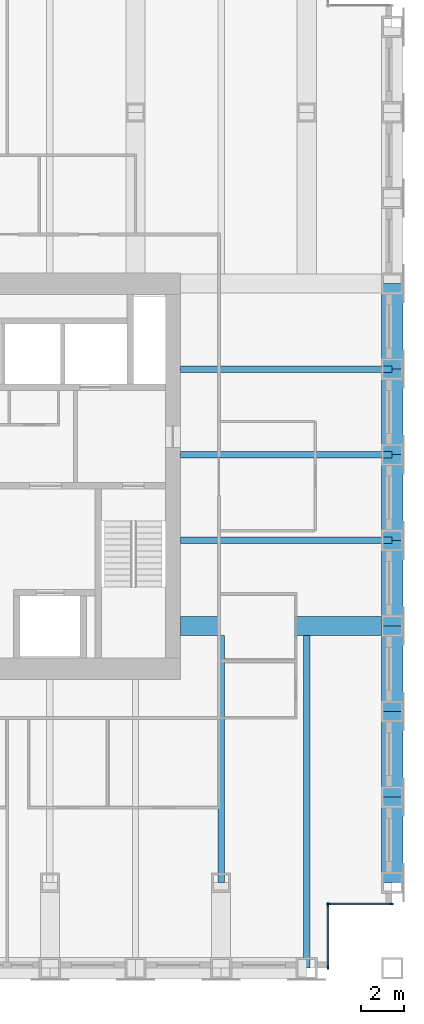
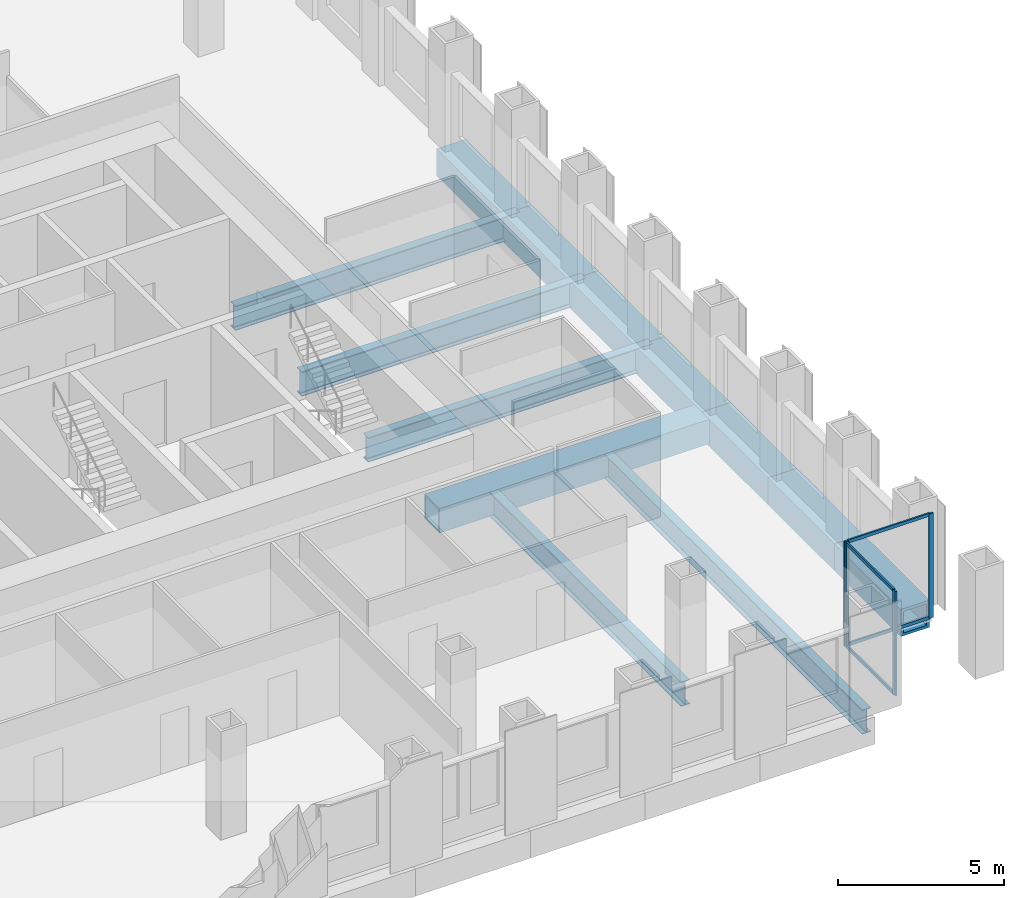
# One storey, part 4 of 12: 13 beams, 8 members, 2 elements without a shape of their own.
"""IFC4 building model written with IfcOpenShell, lengths in metres."""

from ifc_helpers import new_model, si_unit, direction, frame, origin, origin_2d, place, context, subcontext, project, spatial, rectangle, hollow_rectangle, i_section, extrude, material, material_profile, profile_set, type_object, element, aggregate, save


model = new_model("IFC4")

# Units and contexts
model_context = context("Model", 3, precision=1e-05, world=origin(), true_north=direction((0.0, 1.0)))
body_context = subcontext(model_context, "Body", "Model", "MODEL_VIEW")
ifc_project = project(units=[si_unit("LENGTHUNIT", "METRE"), si_unit("AREAUNIT", "SQUARE_METRE"), si_unit("VOLUMEUNIT", "CUBIC_METRE"), si_unit("PLANEANGLEUNIT", "RADIAN"), si_unit("MASSUNIT", "GRAM", prefix="KILO")], contexts=[model_context])

# Site, building, storey
site_placement = place(None, origin())
site = spatial("IfcSite", under=ifc_project, at=site_placement, CompositionType="ELEMENT")
building_placement = place(site_placement, origin())
building = spatial("IfcBuilding", under=site, at=building_placement, Name="Rimbunsela Tower", CompositionType="ELEMENT")
storey_placement = place(building_placement, frame((0.0, 0.0, 147.800048828125)))
storey = spatial("IfcBuildingStorey", under=building, at=storey_placement, Name="L35", CompositionType="ELEMENT", Elevation=147.800048828125)

# Beams
ifc_material_1 = material(Name="Steel BJ 55 (fy 410 MPa)", Category="steel")
ifc_material_profile_1 = material_profile(ifc_material_1, hollow_rectangle(XDim=1.0, YDim=1.0, WallThickness=0.10009765625, at=origin_2d()), Name="BOX 1000x1000x100")
ifc_profile_set_1 = profile_set([ifc_material_profile_1], Name="Steel BJ 55 (fy 410 MPa)")
beam_type_1 = type_object("IfcBeamType", Name="Beam BOX 1000x1000x100", PredefinedType="BEAM", material=ifc_profile_set_1)
for number, where, z_axis, x_axis, name in (
    (1, (46.0, 8.0, -0.650146484375), (0.0, 1.0, 0.0), (-1.0, 0.0, 0.0), "Beam B3 L35"),
    (2, (46.0, 12.0, -0.650146484375), (0.0, 1.0, 0.0), (-1.0, 0.0, 0.0), "Beam B3 L35"),
    (3, (46.0, 16.0, -0.650146484375), (0.0, 1.0, 0.0), (-1.0, 0.0, 0.0), "Beam B3 L35"),
    (4, (46.0, 20.0, -0.650146484375), (0.0, 1.0, 0.0), (-1.0, 0.0, 0.0), "Beam B3 L35"),
    (5, (46.0, 24.0, -0.650146484375), (0.0, 1.0, 0.0), (-1.0, 0.0, 0.0), "Beam B3 L35"),
    (6, (46.0, 28.0, -0.650146484375), (0.0, 1.0, 0.0), (-1.0, 0.0, 0.0), "Beam B3 L35"),
    (7, (46.0, 32.0, -0.650146484375), (0.0, 1.0, 0.0), (-1.0, 0.0, 0.0), "Beam B3 L35"),
):
    element("IfcBeam", number, at=place(storey_placement, frame(where, z_axis=z_axis, x_axis=x_axis)), inside=storey, type_object=beam_type_1, Name=name, PredefinedType="BEAM", context=body_context, shape_type="SweptSolid", body=[
        extrude(hollow_rectangle(XDim=1.0, YDim=1.0, WallThickness=0.10009765625, at=origin_2d()), origin(), (0.0, 0.0, 1.0), 4.0),
    ])
ifc_material_2 = material(Name="Steel BJ 55 (fy 410 MPa)", Category="steel")
ifc_material_profile_2 = material_profile(ifc_material_2, hollow_rectangle(XDim=0.89990234375, YDim=0.89990234375, WallThickness=0.06005859375, at=origin_2d()), Name="BOX 900x900x60")
ifc_profile_set_2 = profile_set([ifc_material_profile_2], Name="Steel BJ 55 (fy 410 MPa)")
beam_type_2 = type_object("IfcBeamType", Name="Beam BOX 900x900x60", PredefinedType="BEAM", material=ifc_profile_set_2)
beam_1_placement = place(storey_placement, frame((36.10009765625, 20.0, -0.60009765625), z_axis=(1.0, 0.0, 0.0), x_axis=(0.0, 1.0, 0.0)))
element("IfcBeam", 8, at=beam_1_placement, inside=storey, type_object=beam_type_2, Name="Beam B1 L35", PredefinedType="BEAM", context=body_context, shape_type="SweptSolid", body=[
    extrude(hollow_rectangle(XDim=0.89990234375, YDim=0.89990234375, WallThickness=0.06005859375, at=origin_2d()), origin(), (0.0, 0.0, 1.0), 9.89990234375),
])
ifc_material_3 = material(Name="Steel BJ 55 (fy 410 MPa)", Category="steel")
ifc_material_profile_3 = material_profile(ifc_material_3, i_section(OverallWidth=0.300048828125, OverallDepth=0.89990234375, WebThickness=0.01611328125, FlangeThickness=0.028076171875, FilletRadius=0.028076171875, at=origin_2d()), Name="H 900x300x16x28")
ifc_profile_set_3 = profile_set([ifc_material_profile_3], Name="Steel BJ 55 (fy 410 MPa)")
beam_type_3 = type_object("IfcBeamType", Name="Beam H 900x300x16x28", PredefinedType="BEAM", material=ifc_profile_set_3)
for number, where, z_axis, x_axis, name in (
    (9, (36.10009765625, 24.0, -0.60009765625), (1.0, 0.0, 0.0), (0.0, 1.0, 0.0), "Beam B2 L35"),
    (10, (36.10009765625, 28.0, -0.60009765625), (1.0, 0.0, 0.0), (0.0, 1.0, 0.0), "Beam B2 L35"),
    (11, (36.10009765625, 32.0, -0.60009765625), (1.0, 0.0, 0.0), (0.0, 1.0, 0.0), "Beam B2 L35"),
):
    element("IfcBeam", number, at=place(storey_placement, frame(where, z_axis=z_axis, x_axis=x_axis)), inside=storey, type_object=beam_type_3, Name=name, PredefinedType="BEAM", context=body_context, shape_type="SweptSolid", body=[
        extrude(i_section(OverallWidth=0.300048828125, OverallDepth=0.89990234375, WebThickness=0.01611328125, FlangeThickness=0.028076171875, FilletRadius=0.028076171875, at=origin_2d()), origin(), (0.0, 0.0, 1.0), 9.89990234375),
    ])
beam_2_placement = place(storey_placement, frame((38.0, 8.0, -0.60009765625), z_axis=(0.0, 1.0, 0.0), x_axis=(-1.0, 0.0, 0.0)))
element("IfcBeam", 12, at=beam_2_placement, inside=storey, type_object=beam_type_3, Name="Beam B2 L35", PredefinedType="BEAM", context=body_context, shape_type="SweptSolid", body=[
    extrude(i_section(OverallWidth=0.300048828125, OverallDepth=0.89990234375, WebThickness=0.01611328125, FlangeThickness=0.028076171875, FilletRadius=0.028076171875, at=origin_2d()), origin(), (0.0, 0.0, 1.0), 11.550048828125),
])
beam_3_placement = place(storey_placement, frame((42.0, 4.0, -0.60009765625), z_axis=(0.0, 1.0, 0.0), x_axis=(-1.0, 0.0, 0.0)))
element("IfcBeam", 13, at=beam_3_placement, inside=storey, type_object=beam_type_3, Name="Beam B2 L35", PredefinedType="BEAM", context=body_context, shape_type="SweptSolid", body=[
    extrude(i_section(OverallWidth=0.300048828125, OverallDepth=0.89990234375, WebThickness=0.01611328125, FlangeThickness=0.028076171875, FilletRadius=0.028076171875, at=origin_2d()), origin(), (0.0, 0.0, 1.0), 15.550048828125),
])

# Curtain wall, members
ifc_material_4 = material(Name="Aluminium curtain wall", Category="aluminium")
curtain_wall_type = type_object("IfcCurtainWallType", Name="Corner glazing", PredefinedType="USERDEFINED", material=ifc_material_4)
curtain_wall_1_placement = place(storey_placement, origin())
curtain_wall_1 = element("IfcCurtainWall", 14, at=curtain_wall_1_placement, inside=storey, type_object=curtain_wall_type, Name="Corner glazing L35", ObjectType="CORNER GLAZING", PredefinedType="USERDEFINED")
ifc_material_5 = material(Name="Aluminium mullion", Category="aluminium")
ifc_material_profile_4 = material_profile(ifc_material_5, rectangle(XDim=0.06005859375, YDim=0.159912109375, at=origin_2d()), Name="Mullion 60x160")
ifc_profile_set_4 = profile_set([ifc_material_profile_4], Name="Aluminium mullion")
member_type_1 = type_object("IfcMemberType", Name="Curtain wall mullion 60x160", PredefinedType="MULLION", material=ifc_profile_set_4)
member_1_placement = place(storey_placement, frame((43.0, 4.030029296875, 0.0), z_axis=(0.0, 0.0, 1.0), x_axis=(-1.0, 0.0, 0.0)))
member_1 = element("IfcMember", 15, at=member_1_placement, type_object=member_type_1, Name="CW5 mullion 1", PredefinedType="MULLION", context=body_context, shape_type="SweptSolid", body=[
    extrude(rectangle(XDim=0.06005859375, YDim=0.159912109375, at=origin_2d()), origin(), (0.0, 0.0, 1.0), 3.849853515625),
])
member_2_placement = place(storey_placement, frame((43.0, 6.969970703125, 0.0), z_axis=(0.0, 0.0, 1.0), x_axis=(-1.0, 0.0, 0.0)))
member_2 = element("IfcMember", 16, at=member_2_placement, type_object=member_type_1, Name="CW5 mullion 2", PredefinedType="MULLION", context=body_context, shape_type="SweptSolid", body=[
    extrude(rectangle(XDim=0.06005859375, YDim=0.159912109375, at=origin_2d()), origin(), (0.0, 0.0, 1.0), 3.849853515625),
])

curtain_wall_2_placement = place(storey_placement, origin())
curtain_wall_2 = element("IfcCurtainWall", 17, at=curtain_wall_2_placement, inside=storey, type_object=curtain_wall_type, Name="Corner glazing L35", ObjectType="CORNER GLAZING", PredefinedType="USERDEFINED")
member_3_placement = place(storey_placement, frame((43.030029296875, 7.0, 0.0), z_axis=(0.0, 0.0, 1.0), x_axis=(0.0, 1.0, 0.0)))
member_3 = element("IfcMember", 18, at=member_3_placement, type_object=member_type_1, Name="CW5 mullion 1", PredefinedType="MULLION", context=body_context, shape_type="SweptSolid", body=[
    extrude(rectangle(XDim=0.06005859375, YDim=0.159912109375, at=origin_2d()), origin(), (0.0, 0.0, 1.0), 3.849853515625),
])
member_4_placement = place(storey_placement, frame((45.969970703125, 7.0, 0.0), z_axis=(0.0, 0.0, 1.0), x_axis=(0.0, 1.0, 0.0)))
member_4 = element("IfcMember", 19, at=member_4_placement, type_object=member_type_1, Name="CW5 mullion 2", PredefinedType="MULLION", context=body_context, shape_type="SweptSolid", body=[
    extrude(rectangle(XDim=0.06005859375, YDim=0.159912109375, at=origin_2d()), origin(), (0.0, 0.0, 1.0), 3.849853515625),
])

# Member
ifc_material_6 = material(Name="Aluminium transom", Category="aluminium")
ifc_material_profile_5 = material_profile(ifc_material_6, rectangle(XDim=0.06005859375, YDim=0.1201171875, at=origin_2d()), Name="Transom 60x120")
ifc_profile_set_5 = profile_set([ifc_material_profile_5], Name="Aluminium transom")
member_type_2 = type_object("IfcMemberType", Name="Curtain wall transom 60x120", PredefinedType="USERDEFINED", material=ifc_profile_set_5)
member_5_placement = place(storey_placement, frame((43.0, 4.06005859375, 0.030029296875), z_axis=(0.0, 1.0, 0.0), x_axis=(-1.0, 0.0, 0.0)))
member_5 = element("IfcMember", 20, at=member_5_placement, type_object=member_type_2, Name="CW5 transom 1.1", ObjectType="TRANSOM", PredefinedType="USERDEFINED", context=body_context, shape_type="SweptSolid", body=[
    extrude(rectangle(XDim=0.06005859375, YDim=0.1201171875, at=origin_2d()), origin(), (0.0, 0.0, 1.0), 2.8798828125),
])

member_6_placement = place(storey_placement, frame((43.0, 4.06005859375, 3.820068359375), z_axis=(0.0, 1.0, 0.0), x_axis=(-1.0, 0.0, 0.0)))
member_6 = element("IfcMember", 21, at=member_6_placement, type_object=member_type_2, Name="CW5 transom 1.2", ObjectType="TRANSOM", PredefinedType="USERDEFINED", context=body_context, shape_type="SweptSolid", body=[
    extrude(rectangle(XDim=0.06005859375, YDim=0.1201171875, at=origin_2d()), origin(), (0.0, 0.0, 1.0), 2.8798828125),
])

aggregate(curtain_wall_1, [member_1, member_2, member_5, member_6])

member_7_placement = place(storey_placement, frame((43.06005859375, 7.0, 0.030029296875), z_axis=(1.0, 0.0, 0.0), x_axis=(0.0, 1.0, 0.0)))
member_7 = element("IfcMember", 22, at=member_7_placement, type_object=member_type_2, Name="CW5 transom 1.1", ObjectType="TRANSOM", PredefinedType="USERDEFINED", context=body_context, shape_type="SweptSolid", body=[
    extrude(rectangle(XDim=0.06005859375, YDim=0.1201171875, at=origin_2d()), origin(), (0.0, 0.0, 1.0), 2.8798828125),
])

member_8_placement = place(storey_placement, frame((43.06005859375, 7.0, 3.820068359375), z_axis=(1.0, 0.0, 0.0), x_axis=(0.0, 1.0, 0.0)))
member_8 = element("IfcMember", 23, at=member_8_placement, type_object=member_type_2, Name="CW5 transom 1.2", ObjectType="TRANSOM", PredefinedType="USERDEFINED", context=body_context, shape_type="SweptSolid", body=[
    extrude(rectangle(XDim=0.06005859375, YDim=0.1201171875, at=origin_2d()), origin(), (0.0, 0.0, 1.0), 2.8798828125),
])

aggregate(curtain_wall_2, [member_3, member_4, member_7, member_8])

save(model, "model.ifc")
